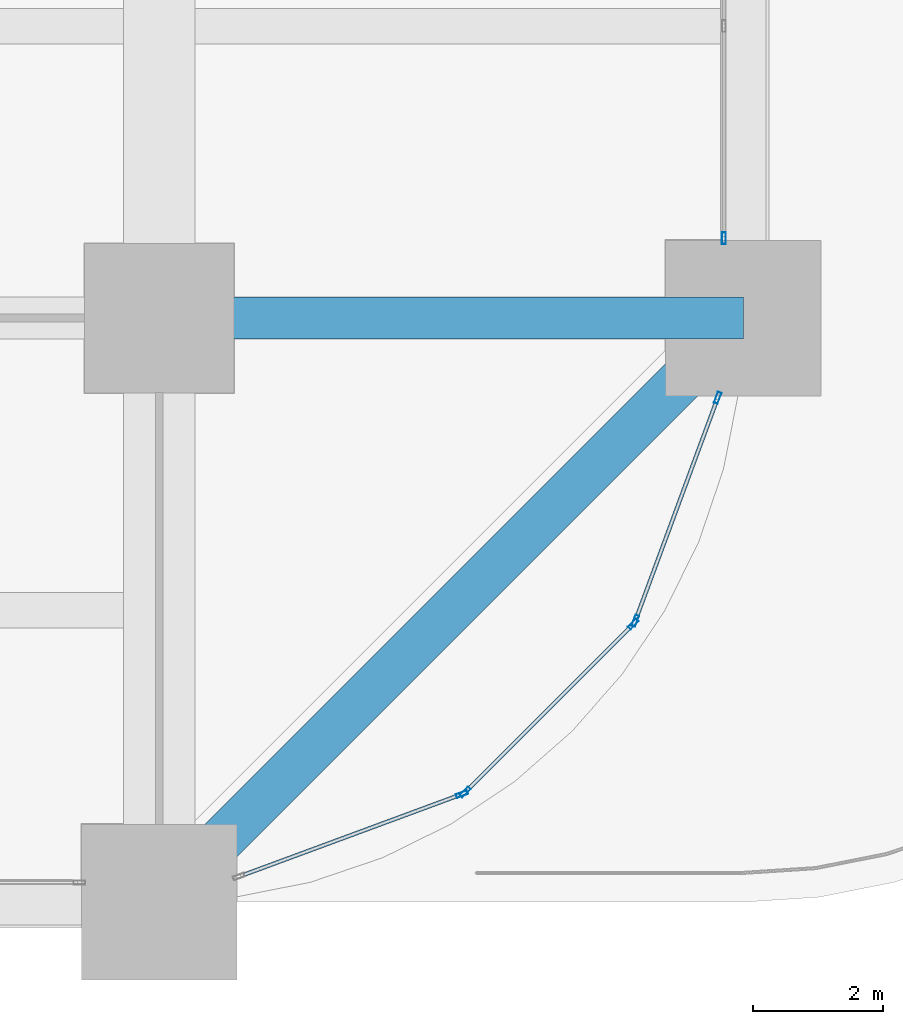
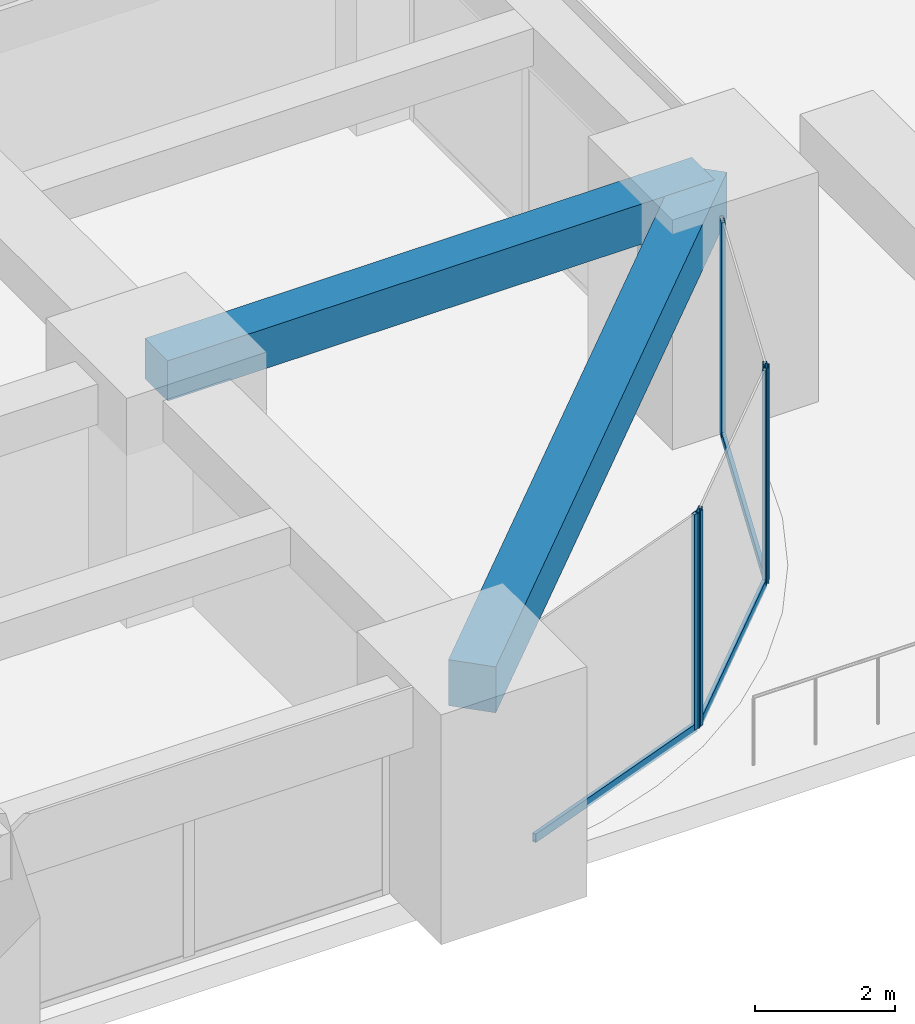
# One storey, part 24 of 38: 9 members, 2 beams, 4 elements without a shape of their own.
"""IFC4 building model written with IfcOpenShell, lengths in metres."""

import ifcopenshell
import ifcopenshell.guid

model = None  # the IFC model being written
_history = None  # IfcOwnerHistory: only IFC2X3 demands one
_inside = {}  # id of a spatial element -> (the spatial element, [elements in it])
_under = {}  # id of a project, library or spatial element -> (it, [spatial elements below it])
_declared = {}  # id of a project -> (the project, [libraries it declares])
_typed = {}  # id of a type object -> (the type object, [elements of that type])
_made_of = {}  # id of a material, layer set ... -> (it, [elements and type objects made of it])


def new_model(schema):
    """Start an empty IFC model of exactly this schema.

    Asked for "IFC4X3", IfcOpenShell would pick the latest addendum, in which some entities
    have other attributes; the version numbers below select the first issue.
    IFC2X3 requires an IfcOwnerHistory on every rooted entity: one is made here for all.
    """
    global model, _history
    if schema == "IFC4X3":
        model = ifcopenshell.file(schema_version=(4, 3, 0, 0))
    else:
        model = ifcopenshell.file(schema=schema)
    _inside.clear()
    _under.clear()
    _declared.clear()
    _typed.clear()
    _made_of.clear()
    _history = None
    if model.schema == "IFC2X3":
        org = make("IfcOrganization", Name="unknown")
        user = make(
            "IfcPersonAndOrganization",
            ThePerson=make("IfcPerson", FamilyName="unknown"),
            TheOrganization=org,
        )
        app = make(
            "IfcApplication",
            ApplicationDeveloper=org,
            Version="unknown",
            ApplicationFullName="unknown",
            ApplicationIdentifier="unknown",
        )
        _history = make(
            "IfcOwnerHistory",
            OwningUser=user,
            OwningApplication=app,
            ChangeAction="ADDED",
            CreationDate=0,
        )
    return model


def make(cls, **values):
    """One entity of the class cls with the attributes given. An attribute that is None is left unset."""
    return model.create_entity(
        cls, **{name: value for name, value in values.items() if value is not None}
    )


def rooted(cls, **values):
    """An entity with a GlobalId (a new one), such as an element, a storey or a relation."""
    return make(cls, GlobalId=ifcopenshell.guid.new(), OwnerHistory=_history, **values)


def si_unit(unit_type, name, prefix=None):
    """IfcSIUnit, for example si_unit("LENGTHUNIT", "METRE", prefix="MILLI")."""
    return make("IfcSIUnit", UnitType=unit_type, Prefix=prefix, Name=name)


def assignment(units):
    """IfcUnitAssignment: the units of a project."""
    return None if units is None else make("IfcUnitAssignment", Units=units)


def point(xyz):
    """IfcCartesianPoint."""
    return None if xyz is None else make("IfcCartesianPoint", Coordinates=xyz)


def direction(xyz):
    """IfcDirection."""
    return None if xyz is None else make("IfcDirection", DirectionRatios=xyz)


def frame(location, z_axis=None, x_axis=None):
    """IfcAxis2Placement3D, a coordinate frame: its origin and axes. An axis left out is left unset."""
    return make(
        "IfcAxis2Placement3D",
        Location=point(location),
        Axis=direction(z_axis),
        RefDirection=direction(x_axis),
    )


def frame_2d(location, x_axis=None):
    """IfcAxis2Placement2D, a coordinate frame in the plane: its origin and x axis."""
    return make(
        "IfcAxis2Placement2D", Location=point(location), RefDirection=direction(x_axis)
    )


def origin():
    """The frame at (0, 0, 0) with its axes left unset."""
    return frame((0.0, 0.0, 0.0))


def origin_2d():
    """The frame at (0, 0) in the plane with its x axis left unset."""
    return frame_2d((0.0, 0.0))


def place(relative_to, where):
    """IfcLocalPlacement: puts the frame where relative to a parent placement (None: the world)."""
    return make(
        "IfcLocalPlacement", PlacementRelTo=relative_to, RelativePlacement=where
    )


def context(
    kind, dimensions, precision=None, world=None, true_north=None, identifier=None
):
    """IfcGeometricRepresentationContext, for example the 3D "Model" context."""
    return make(
        "IfcGeometricRepresentationContext",
        ContextIdentifier=identifier,
        ContextType=kind,
        CoordinateSpaceDimension=dimensions,
        Precision=precision,
        WorldCoordinateSystem=world,
        TrueNorth=true_north,
    )


def subcontext(parent, identifier, kind, view, scale=None):
    """IfcGeometricRepresentationSubContext, for example "Body" below "Model"."""
    return make(
        "IfcGeometricRepresentationSubContext",
        ContextIdentifier=identifier,
        ContextType=kind,
        ParentContext=parent,
        TargetScale=scale,
        TargetView=view,
    )


def project(units=None, contexts=None):
    """IfcProject with its units and contexts."""
    return rooted(
        "IfcProject",
        Name="project",
        RepresentationContexts=contexts,
        UnitsInContext=assignment(units),
    )


def spatial(cls, under=None, at=None, **own):
    """A site, building, storey or space (cls), placed at a placement, below another one or the project."""
    s = rooted(cls, ObjectPlacement=at, **own)
    if under is not None:
        _under.setdefault(under.id(), (under, []))[1].append(s)
    return s


def profile(cls, at=None, kind="AREA", **sizes):
    """A parametric profile (cls). Its sizes go by their IFC names, for example OverallWidth=200.0."""
    return make(cls, ProfileType=kind, Position=at, **sizes)


def rectangle(**sizes):
    """IfcRectangleProfileDef."""
    return profile("IfcRectangleProfileDef", **sizes)


def hollow_rectangle(**sizes):
    """IfcRectangleHollowProfileDef."""
    return profile("IfcRectangleHollowProfileDef", **sizes)


def extrude(swept, where, along, depth):
    """IfcExtrudedAreaSolid: the profile swept, set in the frame where, extruded along a direction by depth."""
    return make(
        "IfcExtrudedAreaSolid",
        SweptArea=swept,
        Position=where,
        ExtrudedDirection=direction(along),
        Depth=depth,
    )


def shape(context_of_items, identifier, shape_type, items):
    """IfcShapeRepresentation: the items that make up one representation, for example the "Body"."""
    return make(
        "IfcShapeRepresentation",
        ContextOfItems=context_of_items,
        RepresentationIdentifier=identifier,
        RepresentationType=shape_type,
        Items=items,
    )


def material(Name=None, Category=None):
    """IfcMaterial."""
    return make("IfcMaterial", Name=Name, Category=Category)


def material_profile(
    of_material, cross_section, Name=None, Category=None, Priority=None
):
    """IfcMaterialProfile: a cross section and its material."""
    return make(
        "IfcMaterialProfile",
        Name=Name,
        Material=of_material,
        Profile=cross_section,
        Priority=Priority,
        Category=Category,
    )


def profile_set(profiles, Name=None, composite=None):
    """IfcMaterialProfileSet."""
    return make(
        "IfcMaterialProfileSet",
        Name=Name,
        MaterialProfiles=profiles,
        CompositeProfile=composite,
    )


def made_of(thing, what):
    """Note that an element or type object is made of a material, layer set ...; save() writes the relation."""
    if what is not None:
        _made_of.setdefault(what.id(), (what, []))[1].append(thing)
    return thing


def type_object(cls, material=None, **own):
    """A type object (cls), such as IfcWallType, which elements share."""
    return made_of(rooted(cls, **own), material)


def element(
    cls,
    number,
    at=None,
    inside=None,
    cuts=None,
    type_object=None,
    material=None,
    context=None,
    identifier="Body",
    shape_type=None,
    held_by="IfcProductDefinitionShape",
    body=None,
    shapes=None,
    **own,
):
    """One element of the class cls, such as IfcWall. Its Tag is "e" and its number.

    at: its placement. inside: the storey or other place that contains it. cuts: it is an
    opening in that element (IfcRelVoidsElement). A single representation is given by context,
    identifier, shape_type and body (its items); several are given by shapes. held_by: the class
    of the entity that holds the representations. save() writes the other relations.
    """
    e = rooted(cls, Tag="e%d" % number, ObjectPlacement=at, **own)
    if body is not None:
        shapes = [shape(context, identifier, shape_type, body)]
    if shapes is not None:
        e.Representation = make(held_by, Representations=shapes)
    if inside is not None:
        _inside.setdefault(inside.id(), (inside, []))[1].append(e)
    if cuts is not None:
        rooted(
            "IfcRelVoidsElement", RelatingBuildingElement=cuts, RelatedOpeningElement=e
        )
    if type_object is not None:
        _typed.setdefault(type_object.id(), (type_object, []))[1].append(e)
    return made_of(e, material)


def aggregate(whole, parts):
    """IfcRelAggregates: a whole, such as a stair, and the parts it consists of."""
    return rooted("IfcRelAggregates", RelatingObject=whole, RelatedObjects=parts)


def save(model, path):
    """Write the relations noted so far, then the file.

    IfcRelAggregates (storeys below a building ...), IfcRelContainedInSpatialStructure (elements
    in a storey), IfcRelDefinesByType, IfcRelAssociatesMaterial and IfcRelDeclares: one each for
    every whole, place, type object, material and project.
    """
    for whole, parts in _under.values():
        aggregate(whole, parts)
    for where, things in _inside.values():
        rooted(
            "IfcRelContainedInSpatialStructure",
            RelatedElements=things,
            RelatingStructure=where,
        )
    for kind, things in _typed.values():
        rooted("IfcRelDefinesByType", RelatedObjects=things, RelatingType=kind)
    for what, things in _made_of.values():
        rooted("IfcRelAssociatesMaterial", RelatedObjects=things, RelatingMaterial=what)
    for by, libraries in _declared.values():
        rooted("IfcRelDeclares", RelatingContext=by, RelatedDefinitions=libraries)
    model.write(path)


model = new_model("IFC4")

# Units and contexts
model_context = context("Model", 3, precision=1e-05, world=origin(), true_north=direction((0.0, 1.0)))
body_context = subcontext(model_context, "Body", "Model", "MODEL_VIEW")
ifc_project = project(units=[si_unit("LENGTHUNIT", "METRE"), si_unit("AREAUNIT", "SQUARE_METRE"), si_unit("VOLUMEUNIT", "CUBIC_METRE"), si_unit("PLANEANGLEUNIT", "RADIAN"), si_unit("MASSUNIT", "GRAM", prefix="KILO")], contexts=[model_context])

# Site, building, storey
site_placement = place(None, origin())
site = spatial("IfcSite", under=ifc_project, at=site_placement, CompositionType="ELEMENT")
building_placement = place(site_placement, origin())
building = spatial("IfcBuilding", under=site, at=building_placement, Name="Zorevar Civic Tower", CompositionType="ELEMENT")
storey_placement = place(building_placement, frame((0.0, 0.0, 15.800048828125)))
storey = spatial("IfcBuildingStorey", under=building, at=storey_placement, Name="L03", CompositionType="ELEMENT", Elevation=15.800048828125)

# Beam
ifc_material_1 = material(Name="Concrete C50/60", Category="concrete")
ifc_material_profile_1 = material_profile(ifc_material_1, rectangle(XDim=0.64990234375, YDim=0.699951171875, at=origin_2d()), Name="RC 650x700")
ifc_profile_set_1 = profile_set([ifc_material_profile_1], Name="Concrete C50/60")
beam_type_1 = type_object("IfcBeamType", Name="Beam RC 650x700", PredefinedType="BEAM", material=ifc_profile_set_1)
beam_1_placement = place(storey_placement, frame((54.0, 9.0, 3.39990234375), z_axis=(1.0, 0.0, 0.0), x_axis=(0.0, 1.0, 0.0)))
element("IfcBeam", 1, at=beam_1_placement, inside=storey, type_object=beam_type_1, Name="Girder L04", PredefinedType="BEAM", context=body_context, shape_type="SweptSolid", body=[
    extrude(rectangle(XDim=0.64990234375, YDim=0.699951171875, at=origin_2d()), origin(), (0.0, 0.0, 1.0), 9.0),
])

# Curtain wall, member
ifc_material_2 = material(Name="Dark grey solar-control glass in black aluminium frame", Category="aluminium")
curtain_wall_type = type_object("IfcCurtainWallType", Name="Curtain wall CW2 low zone", PredefinedType="NOTDEFINED", material=ifc_material_2)
curtain_wall_1_placement = place(storey_placement, origin())
curtain_wall_1 = element("IfcCurtainWall", 2, at=curtain_wall_1_placement, inside=storey, type_object=curtain_wall_type, Name="CW2 L03", PredefinedType="NOTDEFINED")
ifc_material_3 = material(Name="Aluminium, black anodised", Category="aluminium")
ifc_material_profile_2 = material_profile(ifc_material_3, hollow_rectangle(XDim=0.06005859375, YDim=0.179931640625, WallThickness=0.00390625, at=origin_2d()), Name="AL 180x60x4")
ifc_profile_set_2 = profile_set([ifc_material_profile_2], Name="Aluminium, black anodised")
member_type_1 = type_object("IfcMemberType", Name="CW2 mullion AL 180x60x4", PredefinedType="MULLION", material=ifc_profile_set_2)
member_1_placement = place(storey_placement, frame((62.699951171875, 10.22998046875, 0.0), z_axis=(0.0, 0.0, 1.0), x_axis=(-1.0, 0.0, 0.0)))
member_1 = element("IfcMember", 3, at=member_1_placement, type_object=member_type_1, Name="CW2 mullion 1", PredefinedType="MULLION", context=body_context, shape_type="SweptSolid", body=[
    extrude(hollow_rectangle(XDim=0.06005859375, YDim=0.179931640625, WallThickness=0.00390625, at=origin_2d()), origin(), (0.0, 0.0, 1.0), 2.949951171875),
])
aggregate(curtain_wall_1, [member_1])

curtain_wall_2_placement = place(storey_placement, origin())
curtain_wall_2 = element("IfcCurtainWall", 4, at=curtain_wall_2_placement, inside=storey, type_object=curtain_wall_type, Name="CW2 L03", PredefinedType="NOTDEFINED")
member_2_placement = place(storey_placement, frame((58.66455078125, 1.663818359375, 0.0), z_axis=(0.0, 0.0, 1.0), x_axis=(-0.346704012033, 0.937974588163, 0.0)))
member_2 = element("IfcMember", 5, at=member_2_placement, type_object=member_type_1, Name="CW2 mullion 2", PredefinedType="MULLION", context=body_context, shape_type="SweptSolid", body=[
    extrude(hollow_rectangle(XDim=0.06005859375, YDim=0.179931640625, WallThickness=0.00390625, at=origin_2d()), origin(), (0.0, 0.0, 1.0), 3.75),
])

# Curtain wall, members
curtain_wall_3_placement = place(storey_placement, origin())
curtain_wall_3 = element("IfcCurtainWall", 6, at=curtain_wall_3_placement, inside=storey, type_object=curtain_wall_type, Name="CW2 L03", PredefinedType="NOTDEFINED")
member_3_placement = place(storey_placement, frame((58.7138671875, 1.6953125, 0.0), z_axis=(0.0, 0.0, 1.0), x_axis=(-0.707106781187, 0.707106781187, 0.0)))
member_3 = element("IfcMember", 7, at=member_3_placement, type_object=member_type_1, Name="CW2 mullion 1", PredefinedType="MULLION", context=body_context, shape_type="SweptSolid", body=[
    extrude(hollow_rectangle(XDim=0.06005859375, YDim=0.179931640625, WallThickness=0.00390625, at=origin_2d()), origin(), (0.0, 0.0, 1.0), 3.75),
])
member_4_placement = place(storey_placement, frame((61.3046875, 4.2861328125, 0.0), z_axis=(0.0, 0.0, 1.0), x_axis=(-0.707106781187, 0.707106781187, 0.0)))
member_4 = element("IfcMember", 8, at=member_4_placement, type_object=member_type_1, Name="CW2 mullion 2", PredefinedType="MULLION", context=body_context, shape_type="SweptSolid", body=[
    extrude(hollow_rectangle(XDim=0.06005859375, YDim=0.179931640625, WallThickness=0.00390625, at=origin_2d()), origin(), (0.0, 0.0, 1.0), 3.75),
])

curtain_wall_4_placement = place(storey_placement, origin())
curtain_wall_4 = element("IfcCurtainWall", 9, at=curtain_wall_4_placement, inside=storey, type_object=curtain_wall_type, Name="CW2 L03", PredefinedType="NOTDEFINED")
member_5_placement = place(storey_placement, frame((61.336181640625, 4.33544921875, 0.0), z_axis=(0.0, 0.0, 1.0), x_axis=(-0.937974588163, 0.346704012033, 0.0)))
member_5 = element("IfcMember", 10, at=member_5_placement, type_object=member_type_1, Name="CW2 mullion 1", PredefinedType="MULLION", context=body_context, shape_type="SweptSolid", body=[
    extrude(hollow_rectangle(XDim=0.06005859375, YDim=0.179931640625, WallThickness=0.00390625, at=origin_2d()), origin(), (0.0, 0.0, 1.0), 3.75),
])
member_6_placement = place(storey_placement, frame((62.6064453125, 7.77197265625, 0.0), z_axis=(0.0, 0.0, 1.0), x_axis=(-0.937974588163, 0.346704012033, 0.0)))
member_6 = element("IfcMember", 11, at=member_6_placement, type_object=member_type_1, Name="CW2 mullion 2", PredefinedType="MULLION", context=body_context, shape_type="SweptSolid", body=[
    extrude(hollow_rectangle(XDim=0.06005859375, YDim=0.179931640625, WallThickness=0.00390625, at=origin_2d()), origin(), (0.0, 0.0, 1.0), 3.75),
])

# Member
ifc_material_4 = material(Name="Aluminium, black anodised", Category="aluminium")
ifc_material_profile_3 = material_profile(ifc_material_4, hollow_rectangle(XDim=0.06005859375, YDim=0.14990234375, WallThickness=0.00390625, at=origin_2d()), Name="AL 150x60x4")
ifc_profile_set_3 = profile_set([ifc_material_profile_3], Name="Aluminium, black anodised")
member_type_2 = type_object("IfcMemberType", Name="CW2 transom AL 150x60x4", PredefinedType="USERDEFINED", material=ifc_profile_set_3)
member_7_placement = place(storey_placement, frame((55.25634765625, 0.404052734375, 0.030029296875), z_axis=(0.93798635741, 0.346672169799, 0.0), x_axis=(-0.346672169799, 0.93798635741, 0.0)))
member_7 = element("IfcMember", 12, at=member_7_placement, type_object=member_type_2, Name="CW2 sill transom", ObjectType="TRANSOM", PredefinedType="USERDEFINED", context=body_context, shape_type="SweptSolid", body=[
    extrude(hollow_rectangle(XDim=0.06005859375, YDim=0.14990234375, WallThickness=0.00390625, at=origin_2d()), origin(), (0.0, 0.0, 1.0), 3.603515625),
])

aggregate(curtain_wall_2, [member_2, member_7])

member_8_placement = place(storey_placement, frame((58.735107421875, 1.716552734375, 0.030029296875), z_axis=(0.707106781187, 0.707106781187, 0.0), x_axis=(-0.707106781187, 0.707106781187, 0.0)))
member_8 = element("IfcMember", 13, at=member_8_placement, type_object=member_type_2, Name="CW2 sill transom", ObjectType="TRANSOM", PredefinedType="USERDEFINED", context=body_context, shape_type="SweptSolid", body=[
    extrude(hollow_rectangle(XDim=0.06005859375, YDim=0.14990234375, WallThickness=0.00390625, at=origin_2d()), origin(), (0.0, 0.0, 1.0), 3.60400390625),
])

aggregate(curtain_wall_3, [member_3, member_4, member_8])

member_9_placement = place(storey_placement, frame((61.3466796875, 4.363525390625, 0.030029296875), z_axis=(0.346672169799, 0.93798635741, 0.0), x_axis=(-0.93798635741, 0.346672169799, 0.0)))
member_9 = element("IfcMember", 14, at=member_9_placement, type_object=member_type_2, Name="CW2 sill transom", ObjectType="TRANSOM", PredefinedType="USERDEFINED", context=body_context, shape_type="SweptSolid", body=[
    extrude(hollow_rectangle(XDim=0.06005859375, YDim=0.14990234375, WallThickness=0.00390625, at=origin_2d()), origin(), (0.0, 0.0, 1.0), 3.603515625),
])

aggregate(curtain_wall_4, [member_5, member_6, member_9])

# Beam
ifc_material_5 = material(Name="Concrete C50/60", Category="concrete")
ifc_material_profile_4 = material_profile(ifc_material_5, rectangle(XDim=0.699951171875, YDim=0.800048828125, at=origin_2d()), Name="RC 700x800")
ifc_profile_set_4 = profile_set([ifc_material_profile_4], Name="Concrete C50/60")
beam_type_2 = type_object("IfcBeamType", Name="Edge beam RC 700x800", PredefinedType="SPANDREL", material=ifc_profile_set_4)
beam_2_placement = place(storey_placement, frame((54.0, 0.0, 3.349853515625), z_axis=(0.707106781187, 0.707106781187, 0.0), x_axis=(-0.707106781187, 0.707106781187, 0.0)))
element("IfcBeam", 15, at=beam_2_placement, inside=storey, type_object=beam_type_2, Name="Corner edge beam L04", PredefinedType="SPANDREL", context=body_context, shape_type="SweptSolid", body=[
    extrude(rectangle(XDim=0.699951171875, YDim=0.800048828125, at=origin_2d()), origin(), (0.0, 0.0, 1.0), 12.72802734375),
])

save(model, "model.ifc")
